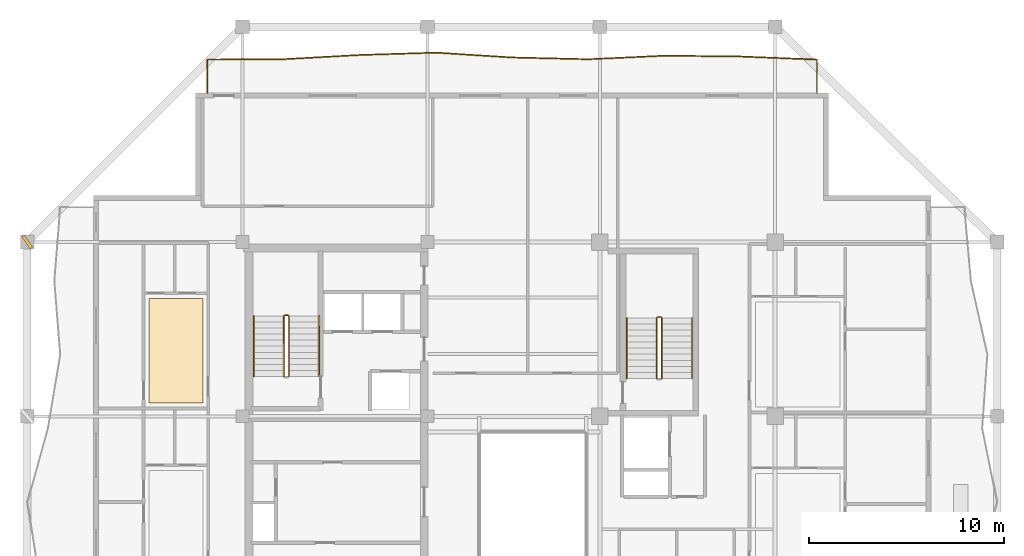
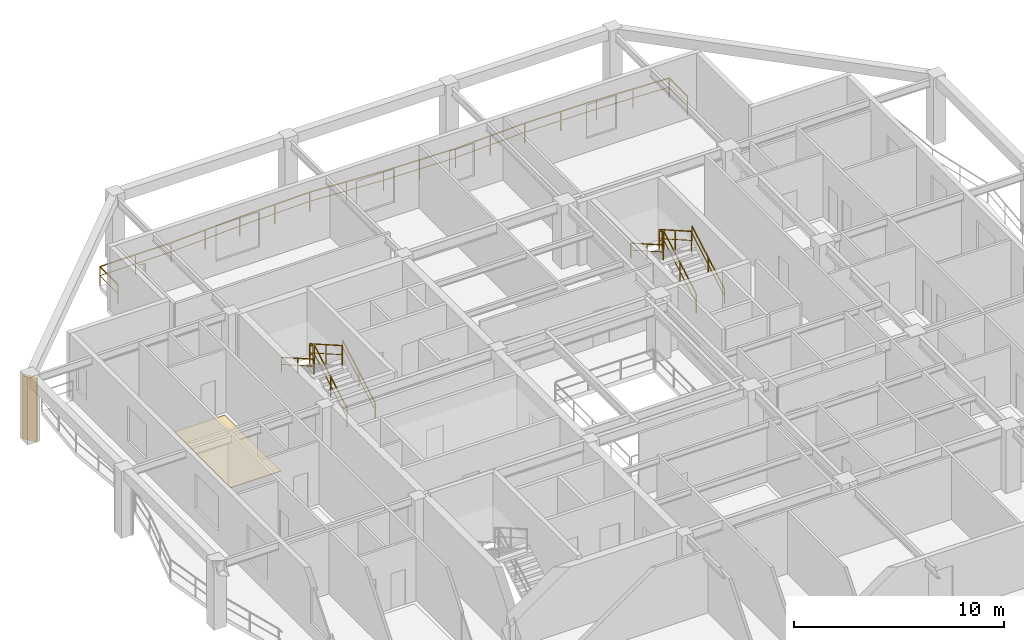
# One storey, part 11 of 12: 11 railings, 1 covering, 1 shading device.
"""IFC4 building model written with IfcOpenShell, lengths in metres."""

from ifc_helpers import new_model, si_unit, direction, frame, origin, origin_2d, place, context, subcontext, project, spatial, polyline, rectangle, outline, extrude, material, layer, layer_set, type_object, element, save


model = new_model("IFC4")

# Units and contexts
model_context = context("Model", 3, precision=1e-05, world=origin(), true_north=direction((0.0, 1.0)))
body_context = subcontext(model_context, "Body", "Model", "MODEL_VIEW")
ifc_project = project(units=[si_unit("LENGTHUNIT", "METRE"), si_unit("AREAUNIT", "SQUARE_METRE"), si_unit("VOLUMEUNIT", "CUBIC_METRE"), si_unit("PLANEANGLEUNIT", "RADIAN"), si_unit("MASSUNIT", "GRAM", prefix="KILO")], contexts=[model_context])

# Site, building, storey
site_placement = place(None, origin())
site = spatial("IfcSite", under=ifc_project, at=site_placement, CompositionType="ELEMENT")
building_placement = place(site_placement, origin())
building = spatial("IfcBuilding", under=site, at=building_placement, Name="Kundavana Baori Tower", CompositionType="ELEMENT")
storey_placement = place(building_placement, frame((0.0, 0.0, 233.60009765625)))
storey = spatial("IfcBuildingStorey", under=building, at=storey_placement, Name="L57", CompositionType="ELEMENT", Elevation=233.60009765625)

# Covering
ifc_material_1 = material(Name="Honed Kota Stone and Terrazzo Flooring", Category="masonry")
ifc_layer = layer(ifc_material_1, 0.030029296875, Name="COV-INT-FLR")
ifc_layer_set = layer_set([ifc_layer], Name="Honed Kota Stone and Terrazzo Flooring")
covering_type = type_object("IfcCoveringType", Name="COV-INT-FLR", PredefinedType="FLOORING", material=ifc_layer_set)
covering_placement = place(storey_placement, origin())
element("IfcCovering", 1, at=covering_placement, inside=storey, type_object=covering_type, Name="L57 Room Finished Stone Flooring 3", PredefinedType="FLOORING", context=body_context, shape_type="SweptSolid", body=[
    extrude(outline(polyline([(10.64990234375, 33.679931640625), (13.419921875, 33.679931640625), (13.419921875, 39.0400390625), (10.64990234375, 39.0400390625), (10.64990234375, 33.679931640625)])), origin(), (0.0, 0.0, 1.0), 0.02978515625),
])

# Railings
ifc_material_2 = material(Name="Architectural Patinated Bronze Metalwork")
railing_type_1 = type_object("IfcRailingType", Name="RL-BAL-1150", PredefinedType="BALUSTRADE", material=ifc_material_2)
railing_1_placement = place(storey_placement, frame((13.64990234375, 49.60009765625, 0.0)))
element("IfcRailing", 2, at=railing_1_placement, inside=storey, type_object=railing_type_1, Name="L57 Loggia Balcony Balustrade N", PredefinedType="BALUSTRADE", context=body_context, shape_type="SweptSolid", body=[
    extrude(rectangle(XDim=0.048095703125, YDim=0.048095703125, at=origin_2d()), frame((0.0, 0.0, 1.1259765625), z_axis=(0.0, 1.0, 0.0), x_axis=(-1.0, 0.0, 0.0)), (0.0, 0.0, 1.0), 1.719970703125),
    extrude(rectangle(XDim=0.03125, YDim=0.03125, at=origin_2d()), frame((0.0, 0.0, 0.597900390625), z_axis=(0.0, 1.0, 0.0), x_axis=(-1.0, 0.0, 0.0)), (0.0, 0.0, 1.0), 1.719970703125),
    extrude(rectangle(XDim=0.048095703125, YDim=0.048095703125, at=origin_2d()), frame((0.0, 1.719970703125, 1.1259765625), z_axis=(0.999986906755, 0.005117257012, 0.0), x_axis=(-0.005117257012, 0.999986906755, 0.0)), (0.0, 0.0, 1.0), 3.912109375),
    extrude(rectangle(XDim=0.03125, YDim=0.03125, at=origin_2d()), frame((0.0, 1.719970703125, 0.597900390625), z_axis=(0.999986906755, 0.005117257012, 0.0), x_axis=(-0.005117257012, 0.999986906755, 0.0)), (0.0, 0.0, 1.0), 3.912109375),
    extrude(rectangle(XDim=0.048095703125, YDim=0.048095703125, at=origin_2d()), frame((3.912109375, 1.739990234375, 1.1259765625), z_axis=(0.998468775487, 0.055318210172, 0.0), x_axis=(-0.055318210172, 0.998468775487, 0.0)), (0.0, 0.0, 1.0), 3.919189453125),
    extrude(rectangle(XDim=0.03125, YDim=0.03125, at=origin_2d()), frame((3.912109375, 1.739990234375, 0.597900390625), z_axis=(0.998468775487, 0.055318210172, 0.0), x_axis=(-0.055318210172, 0.998468775487, 0.0)), (0.0, 0.0, 1.0), 3.919189453125),
    extrude(rectangle(XDim=0.048095703125, YDim=0.048095703125, at=origin_2d()), frame((7.8251953125, 1.956787109375, 1.1259765625), z_axis=(0.999529143125, 0.030683742336, 0.0), x_axis=(-0.030683742336, 0.999529143125, 0.0)), (0.0, 0.0, 1.0), 3.914794921875),
    extrude(rectangle(XDim=0.03125, YDim=0.03125, at=origin_2d()), frame((7.8251953125, 1.956787109375, 0.597900390625), z_axis=(0.999529143125, 0.030683742336, 0.0), x_axis=(-0.030683742336, 0.999529143125, 0.0)), (0.0, 0.0, 1.0), 3.914794921875),
    extrude(rectangle(XDim=0.048095703125, YDim=0.048095703125, at=origin_2d()), frame((11.738037109375, 2.076904296875, 1.1259765625), z_axis=(0.998011652171, -0.063029692461, 0.0), x_axis=(0.063029692461, 0.998011652171, 0.0)), (0.0, 0.0, 1.0), 3.919921875),
    extrude(rectangle(XDim=0.03125, YDim=0.03125, at=origin_2d()), frame((11.738037109375, 2.076904296875, 0.597900390625), z_axis=(0.998011652171, -0.063029692461, 0.0), x_axis=(0.063029692461, 0.998011652171, 0.0)), (0.0, 0.0, 1.0), 3.919921875),
    extrude(rectangle(XDim=0.048095703125, YDim=0.048095703125, at=origin_2d()), frame((15.650146484375, 1.829833984375, 1.1259765625), z_axis=(0.999717556584, -0.023765669748, 0.0), x_axis=(0.023765669748, 0.999717556584, 0.0)), (0.0, 0.0, 1.0), 3.9140625),
    extrude(rectangle(XDim=0.03125, YDim=0.03125, at=origin_2d()), frame((15.650146484375, 1.829833984375, 0.597900390625), z_axis=(0.999717556584, -0.023765669748, 0.0), x_axis=(0.023765669748, 0.999717556584, 0.0)), (0.0, 0.0, 1.0), 3.9140625),
    extrude(rectangle(XDim=0.048095703125, YDim=0.048095703125, at=origin_2d()), frame((19.56298828125, 1.73681640625, 1.1259765625), z_axis=(0.998906452075, 0.046753609527, 0.0), x_axis=(-0.046753609527, 0.998906452075, 0.0)), (0.0, 0.0, 1.0), 3.91650390625),
    extrude(rectangle(XDim=0.03125, YDim=0.03125, at=origin_2d()), frame((19.56298828125, 1.73681640625, 0.597900390625), z_axis=(0.998906452075, 0.046753609527, 0.0), x_axis=(-0.046753609527, 0.998906452075, 0.0)), (0.0, 0.0, 1.0), 3.91650390625),
    extrude(rectangle(XDim=0.048095703125, YDim=0.048095703125, at=origin_2d()), frame((23.47509765625, 1.919921875, 1.1259765625), z_axis=(0.999942425427, -0.010730602519, 0.0), x_axis=(0.010730602519, 0.999942425427, 0.0)), (0.0, 0.0, 1.0), 3.913330078125),
    extrude(rectangle(XDim=0.03125, YDim=0.03125, at=origin_2d()), frame((23.47509765625, 1.919921875, 0.597900390625), z_axis=(0.999942425427, -0.010730602519, 0.0), x_axis=(0.010730602519, 0.999942425427, 0.0)), (0.0, 0.0, 1.0), 3.913330078125),
    extrude(rectangle(XDim=0.048095703125, YDim=0.048095703125, at=origin_2d()), frame((27.38818359375, 1.8779296875, 1.1259765625), z_axis=(0.999185745422, -0.040346575378, 0.0), x_axis=(0.040346575378, 0.999185745422, 0.0)), (0.0, 0.0, 1.0), 3.9150390625),
    extrude(rectangle(XDim=0.03125, YDim=0.03125, at=origin_2d()), frame((27.38818359375, 1.8779296875, 0.597900390625), z_axis=(0.999185745422, -0.040346575378, 0.0), x_axis=(0.040346575378, 0.999185745422, 0.0)), (0.0, 0.0, 1.0), 3.9150390625),
    extrude(rectangle(XDim=0.048095703125, YDim=0.048095703125, at=origin_2d()), frame((31.300048828125, 1.719970703125, 1.1259765625), z_axis=(0.0, -1.0, 0.0), x_axis=(1.0, 0.0, 0.0)), (0.0, 0.0, 1.0), 1.719970703125),
    extrude(rectangle(XDim=0.03125, YDim=0.03125, at=origin_2d()), frame((31.300048828125, 1.719970703125, 0.597900390625), z_axis=(0.0, -1.0, 0.0), x_axis=(1.0, 0.0, 0.0)), (0.0, 0.0, 1.0), 1.719970703125),
    extrude(rectangle(XDim=0.0419921875, YDim=0.0419921875, at=origin_2d()), origin(), (0.0, 0.0, 1.0), 1.101806640625),
    extrude(rectangle(XDim=0.0419921875, YDim=0.0419921875, at=origin_2d()), frame((0.0, 1.719970703125, 0.0)), (0.0, 0.0, 1.0), 1.101806640625),
    extrude(rectangle(XDim=0.0419921875, YDim=0.0419921875, at=origin_2d()), frame((1.9560546875, 1.72998046875, 0.0)), (0.0, 0.0, 1.0), 1.101806640625),
    extrude(rectangle(XDim=0.0419921875, YDim=0.0419921875, at=origin_2d()), frame((3.912109375, 1.739990234375, 0.0)), (0.0, 0.0, 1.0), 1.101806640625),
    extrude(rectangle(XDim=0.0419921875, YDim=0.0419921875, at=origin_2d()), frame((5.86865234375, 1.848388671875, 0.0)), (0.0, 0.0, 1.0), 1.101806640625),
    extrude(rectangle(XDim=0.0419921875, YDim=0.0419921875, at=origin_2d()), frame((7.8251953125, 1.956787109375, 0.0)), (0.0, 0.0, 1.0), 1.101806640625),
    extrude(rectangle(XDim=0.0419921875, YDim=0.0419921875, at=origin_2d()), frame((9.78173828125, 2.016845703125, 0.0)), (0.0, 0.0, 1.0), 1.101806640625),
    extrude(rectangle(XDim=0.0419921875, YDim=0.0419921875, at=origin_2d()), frame((11.738037109375, 2.076904296875, 0.0)), (0.0, 0.0, 1.0), 1.101806640625),
    extrude(rectangle(XDim=0.0419921875, YDim=0.0419921875, at=origin_2d()), frame((13.694091796875, 1.953369140625, 0.0)), (0.0, 0.0, 1.0), 1.101806640625),
    extrude(rectangle(XDim=0.0419921875, YDim=0.0419921875, at=origin_2d()), frame((15.650146484375, 1.829833984375, 0.0)), (0.0, 0.0, 1.0), 1.101806640625),
    extrude(rectangle(XDim=0.0419921875, YDim=0.0419921875, at=origin_2d()), frame((17.6064453125, 1.783203125, 0.0)), (0.0, 0.0, 1.0), 1.101806640625),
    extrude(rectangle(XDim=0.0419921875, YDim=0.0419921875, at=origin_2d()), frame((19.56298828125, 1.73681640625, 0.0)), (0.0, 0.0, 1.0), 1.101806640625),
    extrude(rectangle(XDim=0.0419921875, YDim=0.0419921875, at=origin_2d()), frame((21.51904296875, 1.828369140625, 0.0)), (0.0, 0.0, 1.0), 1.101806640625),
    extrude(rectangle(XDim=0.0419921875, YDim=0.0419921875, at=origin_2d()), frame((23.47509765625, 1.919921875, 0.0)), (0.0, 0.0, 1.0), 1.101806640625),
    extrude(rectangle(XDim=0.0419921875, YDim=0.0419921875, at=origin_2d()), frame((25.431640625, 1.89892578125, 0.0)), (0.0, 0.0, 1.0), 1.101806640625),
    extrude(rectangle(XDim=0.0419921875, YDim=0.0419921875, at=origin_2d()), frame((27.38818359375, 1.8779296875, 0.0)), (0.0, 0.0, 1.0), 1.101806640625),
    extrude(rectangle(XDim=0.0419921875, YDim=0.0419921875, at=origin_2d()), frame((29.34423828125, 1.798828125, 0.0)), (0.0, 0.0, 1.0), 1.101806640625),
    extrude(rectangle(XDim=0.0419921875, YDim=0.0419921875, at=origin_2d()), frame((31.300048828125, 1.719970703125, 0.0)), (0.0, 0.0, 1.0), 1.101806640625),
    extrude(rectangle(XDim=0.0419921875, YDim=0.0419921875, at=origin_2d()), frame((31.300048828125, 0.0, 0.0)), (0.0, 0.0, 1.0), 1.101806640625),
])
ifc_material_3 = material(Name="Architectural Patinated Bronze Metalwork")
railing_type_2 = type_object("IfcRailingType", Name="RL-GRD-1150", PredefinedType="GUARDRAIL", material=ifc_material_3)
railing_2_placement = place(storey_placement, frame((17.840087890625, 35.050048828125, 0.17724609375)))
element("IfcRailing", 3, at=railing_2_placement, inside=storey, type_object=railing_type_2, Name="L57 ST2 stair guard 1", PredefinedType="GUARDRAIL", context=body_context, shape_type="SweptSolid", body=[
    extrude(rectangle(XDim=0.048095703125, YDim=0.048095703125, at=origin_2d()), frame((0.0, 0.0, 1.1259765625), z_axis=(0.0, 0.868079009454, 0.496426060301), x_axis=(-1.0, 0.0, 0.0)), (0.0, 0.0, 1.0), 3.571044921875),
    extrude(rectangle(XDim=0.03125, YDim=0.03125, at=origin_2d()), frame((0.0, 0.0, 0.597900390625), z_axis=(0.0, 0.868079009454, 0.496426060301), x_axis=(-1.0, 0.0, 0.0)), (0.0, 0.0, 1.0), 3.571044921875),
    extrude(rectangle(XDim=0.0419921875, YDim=0.0419921875, at=origin_2d()), origin(), (0.0, 0.0, 1.0), 1.101806640625),
    extrude(rectangle(XDim=0.0419921875, YDim=0.0419921875, at=origin_2d()), frame((0.0, 1.5498046875, 0.88623046875)), (0.0, 0.0, 1.0), 1.101806640625),
    extrude(rectangle(XDim=0.0419921875, YDim=0.0419921875, at=origin_2d()), frame((0.0, 3.099853515625, 1.772705078125)), (0.0, 0.0, 1.0), 1.101806640625),
])
railing_3_placement = place(storey_placement, frame((17.7900390625, 38.199951171875, 1.949951171875)))
element("IfcRailing", 4, at=railing_3_placement, inside=storey, type_object=railing_type_2, Name="L57 ST2 stair guard 2", PredefinedType="GUARDRAIL", context=body_context, shape_type="SweptSolid", body=[
    extrude(rectangle(XDim=0.048095703125, YDim=0.048095703125, at=origin_2d()), frame((0.0, 0.0, 1.1259765625), z_axis=(-1.0, 0.0, 0.0), x_axis=(0.0, -1.0, 0.0)), (0.0, 0.0, 1.0), 0.16015625),
    extrude(rectangle(XDim=0.03125, YDim=0.03125, at=origin_2d()), frame((0.0, 0.0, 0.597900390625), z_axis=(-1.0, 0.0, 0.0), x_axis=(0.0, -1.0, 0.0)), (0.0, 0.0, 1.0), 0.16015625),
    extrude(rectangle(XDim=0.0419921875, YDim=0.0419921875, at=origin_2d()), origin(), (0.0, 0.0, 1.0), 1.101806640625),
    extrude(rectangle(XDim=0.0419921875, YDim=0.0419921875, at=origin_2d()), frame((-0.16015625, 0.0, 0.0)), (0.0, 0.0, 1.0), 1.101806640625),
])
railing_4_placement = place(storey_placement, frame((17.580078125, 38.14990234375, 2.127197265625)))
element("IfcRailing", 5, at=railing_4_placement, inside=storey, type_object=railing_type_2, Name="L57 ST2 stair guard 3", PredefinedType="GUARDRAIL", context=body_context, shape_type="SweptSolid", body=[
    extrude(rectangle(XDim=0.048095703125, YDim=0.048095703125, at=origin_2d()), frame((0.0, 0.0, 1.1259765625), z_axis=(0.0, -0.868079009454, 0.496426060301), x_axis=(1.0, 0.0, 0.0)), (0.0, 0.0, 1.0), 3.571044921875),
    extrude(rectangle(XDim=0.03125, YDim=0.03125, at=origin_2d()), frame((0.0, 0.0, 0.597900390625), z_axis=(0.0, -0.868079009454, 0.496426060301), x_axis=(1.0, 0.0, 0.0)), (0.0, 0.0, 1.0), 3.571044921875),
    extrude(rectangle(XDim=0.0419921875, YDim=0.0419921875, at=origin_2d()), origin(), (0.0, 0.0, 1.0), 1.101806640625),
    extrude(rectangle(XDim=0.0419921875, YDim=0.0419921875, at=origin_2d()), frame((0.0, -1.5498046875, 0.88623046875)), (0.0, 0.0, 1.0), 1.101806640625),
    extrude(rectangle(XDim=0.0419921875, YDim=0.0419921875, at=origin_2d()), frame((0.0, -3.099853515625, 1.772705078125)), (0.0, 0.0, 1.0), 1.101806640625),
])
railing_5_placement = place(storey_placement, frame((36.97998046875, 34.949951171875, 0.17724609375)))
element("IfcRailing", 6, at=railing_5_placement, inside=storey, type_object=railing_type_2, Name="L57 ST3 stair guard 1", PredefinedType="GUARDRAIL", context=body_context, shape_type="SweptSolid", body=[
    extrude(rectangle(XDim=0.048095703125, YDim=0.048095703125, at=origin_2d()), frame((0.0, 0.0, 1.1259765625), z_axis=(0.0, 0.868095856688, 0.496396599103), x_axis=(-1.0, 0.0, 0.0)), (0.0, 0.0, 1.0), 3.571044921875),
    extrude(rectangle(XDim=0.03125, YDim=0.03125, at=origin_2d()), frame((0.0, 0.0, 0.597900390625), z_axis=(0.0, 0.868095856688, 0.496396599103), x_axis=(-1.0, 0.0, 0.0)), (0.0, 0.0, 1.0), 3.571044921875),
    extrude(rectangle(XDim=0.0419921875, YDim=0.0419921875, at=origin_2d()), origin(), (0.0, 0.0, 1.0), 1.101806640625),
    extrude(rectangle(XDim=0.0419921875, YDim=0.0419921875, at=origin_2d()), frame((0.0, 1.550048828125, 0.88623046875)), (0.0, 0.0, 1.0), 1.101806640625),
    extrude(rectangle(XDim=0.0419921875, YDim=0.0419921875, at=origin_2d()), frame((0.0, 3.10009765625, 1.772705078125)), (0.0, 0.0, 1.0), 1.101806640625),
])
railing_6_placement = place(storey_placement, frame((36.929931640625, 38.10009765625, 1.949951171875)))
element("IfcRailing", 7, at=railing_6_placement, inside=storey, type_object=railing_type_2, Name="L57 ST3 stair guard 2", PredefinedType="GUARDRAIL", context=body_context, shape_type="SweptSolid", body=[
    extrude(rectangle(XDim=0.048095703125, YDim=0.048095703125, at=origin_2d()), frame((0.0, 0.0, 1.1259765625), z_axis=(-1.0, 0.0, 0.0), x_axis=(0.0, -1.0, 0.0)), (0.0, 0.0, 1.0), 0.159912109375),
    extrude(rectangle(XDim=0.03125, YDim=0.03125, at=origin_2d()), frame((0.0, 0.0, 0.597900390625), z_axis=(-1.0, 0.0, 0.0), x_axis=(0.0, -1.0, 0.0)), (0.0, 0.0, 1.0), 0.159912109375),
    extrude(rectangle(XDim=0.0419921875, YDim=0.0419921875, at=origin_2d()), origin(), (0.0, 0.0, 1.0), 1.101806640625),
    extrude(rectangle(XDim=0.0419921875, YDim=0.0419921875, at=origin_2d()), frame((-0.159912109375, 0.0, 0.0)), (0.0, 0.0, 1.0), 1.101806640625),
])
railing_7_placement = place(storey_placement, frame((36.719970703125, 38.050048828125, 2.127197265625)))
element("IfcRailing", 8, at=railing_7_placement, inside=storey, type_object=railing_type_2, Name="L57 ST3 stair guard 3", PredefinedType="GUARDRAIL", context=body_context, shape_type="SweptSolid", body=[
    extrude(rectangle(XDim=0.048095703125, YDim=0.048095703125, at=origin_2d()), frame((0.0, 0.0, 1.1259765625), z_axis=(0.0, -0.868095856688, 0.496396599103), x_axis=(1.0, 0.0, 0.0)), (0.0, 0.0, 1.0), 3.571044921875),
    extrude(rectangle(XDim=0.03125, YDim=0.03125, at=origin_2d()), frame((0.0, 0.0, 0.597900390625), z_axis=(0.0, -0.868095856688, 0.496396599103), x_axis=(1.0, 0.0, 0.0)), (0.0, 0.0, 1.0), 3.571044921875),
    extrude(rectangle(XDim=0.0419921875, YDim=0.0419921875, at=origin_2d()), origin(), (0.0, 0.0, 1.0), 1.101806640625),
    extrude(rectangle(XDim=0.0419921875, YDim=0.0419921875, at=origin_2d()), frame((0.0, -1.550048828125, 0.88623046875)), (0.0, 0.0, 1.0), 1.101806640625),
    extrude(rectangle(XDim=0.0419921875, YDim=0.0419921875, at=origin_2d()), frame((0.0, -3.10009765625, 1.772705078125)), (0.0, 0.0, 1.0), 1.101806640625),
])
ifc_material_4 = material(Name="Architectural Patinated Bronze Metalwork")
railing_type_3 = type_object("IfcRailingType", Name="RL-HND-920", PredefinedType="HANDRAIL", material=ifc_material_4)
railing_8_placement = place(storey_placement, frame((19.389892578125, 35.050048828125, 0.17724609375)))
element("IfcRailing", 9, at=railing_8_placement, inside=storey, type_object=railing_type_3, Name="L57 ST2 stair handrail 1", PredefinedType="HANDRAIL", context=body_context, shape_type="SweptSolid", body=[
    extrude(rectangle(XDim=0.048095703125, YDim=0.048095703125, at=origin_2d()), frame((0.0, 0.0, 0.8759765625), z_axis=(0.0, 0.868079009454, 0.496426060301), x_axis=(-1.0, 0.0, 0.0)), (0.0, 0.0, 1.0), 3.571044921875),
    extrude(rectangle(XDim=0.03125, YDim=0.03125, at=origin_2d()), frame((0.0, 0.0, 0.468017578125), z_axis=(0.0, 0.868079009454, 0.496426060301), x_axis=(-1.0, 0.0, 0.0)), (0.0, 0.0, 1.0), 3.571044921875),
    extrude(rectangle(XDim=0.0419921875, YDim=0.0419921875, at=origin_2d()), origin(), (0.0, 0.0, 1.0), 0.851806640625),
    extrude(rectangle(XDim=0.0419921875, YDim=0.0419921875, at=origin_2d()), frame((0.0, 1.5498046875, 0.88623046875)), (0.0, 0.0, 1.0), 0.851806640625),
    extrude(rectangle(XDim=0.0419921875, YDim=0.0419921875, at=origin_2d()), frame((0.0, 3.099853515625, 1.772705078125)), (0.0, 0.0, 1.0), 0.851806640625),
])
railing_9_placement = place(storey_placement, frame((16.030029296875, 38.14990234375, 2.127197265625)))
element("IfcRailing", 10, at=railing_9_placement, inside=storey, type_object=railing_type_3, Name="L57 ST2 stair handrail 2", PredefinedType="HANDRAIL", context=body_context, shape_type="SweptSolid", body=[
    extrude(rectangle(XDim=0.048095703125, YDim=0.048095703125, at=origin_2d()), frame((0.0, 0.0, 0.8759765625), z_axis=(0.0, -0.868079009454, 0.496426060301), x_axis=(1.0, 0.0, 0.0)), (0.0, 0.0, 1.0), 3.571044921875),
    extrude(rectangle(XDim=0.03125, YDim=0.03125, at=origin_2d()), frame((0.0, 0.0, 0.468017578125), z_axis=(0.0, -0.868079009454, 0.496426060301), x_axis=(1.0, 0.0, 0.0)), (0.0, 0.0, 1.0), 3.571044921875),
    extrude(rectangle(XDim=0.0419921875, YDim=0.0419921875, at=origin_2d()), origin(), (0.0, 0.0, 1.0), 0.851806640625),
    extrude(rectangle(XDim=0.0419921875, YDim=0.0419921875, at=origin_2d()), frame((0.0, -1.5498046875, 0.88623046875)), (0.0, 0.0, 1.0), 0.851806640625),
    extrude(rectangle(XDim=0.0419921875, YDim=0.0419921875, at=origin_2d()), frame((0.0, -3.099853515625, 1.772705078125)), (0.0, 0.0, 1.0), 0.851806640625),
])
railing_10_placement = place(storey_placement, frame((38.530029296875, 34.949951171875, 0.17724609375)))
element("IfcRailing", 11, at=railing_10_placement, inside=storey, type_object=railing_type_3, Name="L57 ST3 stair handrail 1", PredefinedType="HANDRAIL", context=body_context, shape_type="SweptSolid", body=[
    extrude(rectangle(XDim=0.048095703125, YDim=0.048095703125, at=origin_2d()), frame((0.0, 0.0, 0.8759765625), z_axis=(0.0, 0.868095856688, 0.496396599103), x_axis=(-1.0, 0.0, 0.0)), (0.0, 0.0, 1.0), 3.571044921875),
    extrude(rectangle(XDim=0.03125, YDim=0.03125, at=origin_2d()), frame((0.0, 0.0, 0.468017578125), z_axis=(0.0, 0.868095856688, 0.496396599103), x_axis=(-1.0, 0.0, 0.0)), (0.0, 0.0, 1.0), 3.571044921875),
    extrude(rectangle(XDim=0.0419921875, YDim=0.0419921875, at=origin_2d()), origin(), (0.0, 0.0, 1.0), 0.851806640625),
    extrude(rectangle(XDim=0.0419921875, YDim=0.0419921875, at=origin_2d()), frame((0.0, 1.550048828125, 0.88623046875)), (0.0, 0.0, 1.0), 0.851806640625),
    extrude(rectangle(XDim=0.0419921875, YDim=0.0419921875, at=origin_2d()), frame((0.0, 3.10009765625, 1.772705078125)), (0.0, 0.0, 1.0), 0.851806640625),
])
railing_11_placement = place(storey_placement, frame((35.169921875, 38.050048828125, 2.127197265625)))
element("IfcRailing", 12, at=railing_11_placement, inside=storey, type_object=railing_type_3, Name="L57 ST3 stair handrail 2", PredefinedType="HANDRAIL", context=body_context, shape_type="SweptSolid", body=[
    extrude(rectangle(XDim=0.048095703125, YDim=0.048095703125, at=origin_2d()), frame((0.0, 0.0, 0.8759765625), z_axis=(0.0, -0.868095856688, 0.496396599103), x_axis=(1.0, 0.0, 0.0)), (0.0, 0.0, 1.0), 3.571044921875),
    extrude(rectangle(XDim=0.03125, YDim=0.03125, at=origin_2d()), frame((0.0, 0.0, 0.468017578125), z_axis=(0.0, -0.868095856688, 0.496396599103), x_axis=(1.0, 0.0, 0.0)), (0.0, 0.0, 1.0), 3.571044921875),
    extrude(rectangle(XDim=0.0419921875, YDim=0.0419921875, at=origin_2d()), origin(), (0.0, 0.0, 1.0), 0.851806640625),
    extrude(rectangle(XDim=0.0419921875, YDim=0.0419921875, at=origin_2d()), frame((0.0, -1.550048828125, 0.88623046875)), (0.0, 0.0, 1.0), 0.851806640625),
    extrude(rectangle(XDim=0.0419921875, YDim=0.0419921875, at=origin_2d()), frame((0.0, -3.10009765625, 1.772705078125)), (0.0, 0.0, 1.0), 0.851806640625),
])

# Shading device
ifc_material_5 = material(Name="Red-Buff Dholpur Sandstone Cladding on Concrete C40/50", Category="masonry")
shading_device_type = type_object("IfcShadingDeviceType", Name="SHD-FIN-750", PredefinedType="JALOUSIE", material=ifc_material_5)
shading_device_placement = place(storey_placement, frame((4.39990234375, 41.949951171875, 0.0), z_axis=(0.0, 0.0, 1.0), x_axis=(0.817245492307, 0.576289688702, 0.0)))
element("IfcShadingDevice", 13, at=shading_device_placement, inside=storey, type_object=shading_device_type, Name="L57 Sweeping Dholpur Sandstone Facade Fin 8", PredefinedType="JALOUSIE", context=body_context, shape_type="SweptSolid", body=[
    extrude(rectangle(XDim=0.159912109375, YDim=0.75, at=origin_2d()), origin(), (0.0, 0.0, 1.0), 3.659912109375),
])

save(model, "model.ifc")
